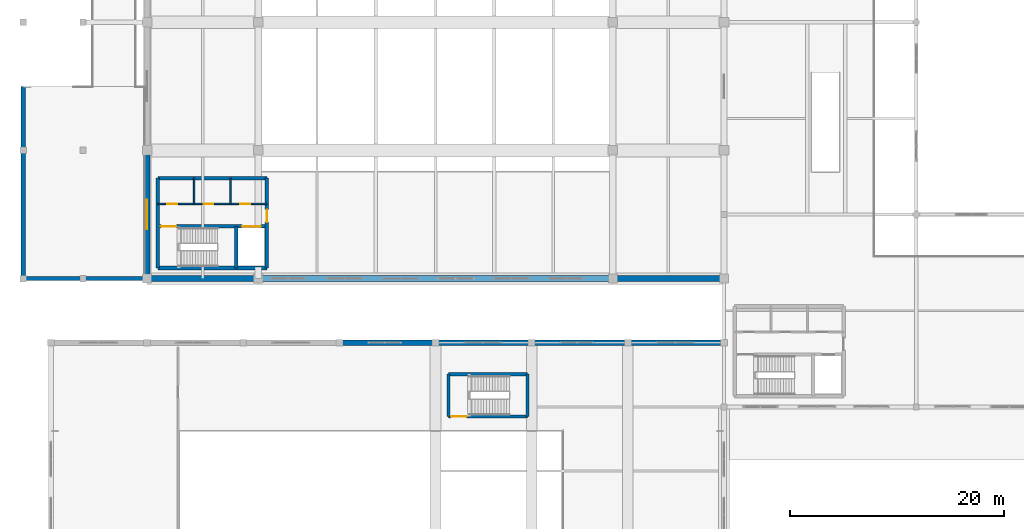
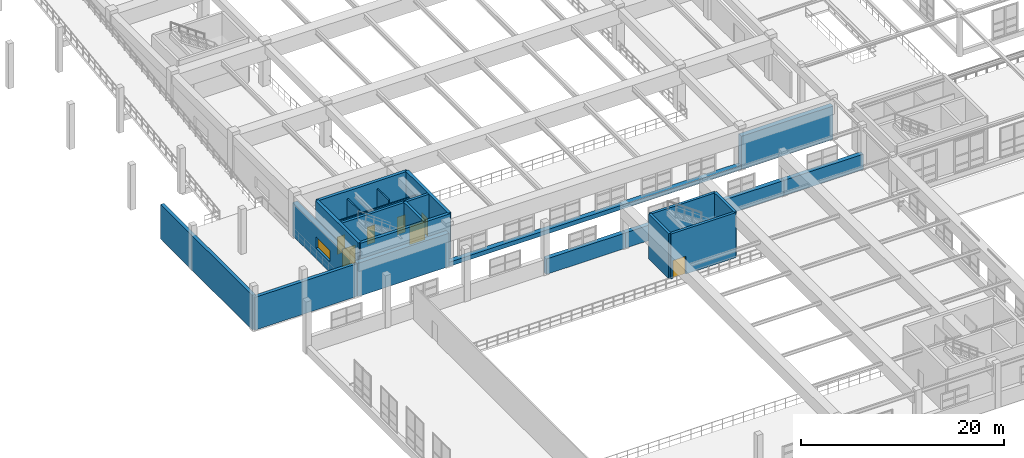
# One storey, part 170 of 197: 23 walls, 7 doors, 1 window, 8 openings.
"""IFC4 building model written with IfcOpenShell, lengths in metres."""

from ifc_helpers import new_model, si_unit, derived_unit, direction, frame, frame_2d, origin, place, context, subcontext, project, spatial, rectangle, extrude, material, layer, layer_set, type_object, element, fill, save


model = new_model("IFC4")

# Units and contexts
model_context = context("Model", 3, precision=1e-05, world=origin(), true_north=direction((0.0, 1.0)))
body_context = subcontext(model_context, "Body", "Model", "MODEL_VIEW")
ifc_project = project(units=[si_unit("LENGTHUNIT", "METRE"), si_unit("AREAUNIT", "SQUARE_METRE"), si_unit("VOLUMEUNIT", "CUBIC_METRE"), si_unit("PLANEANGLEUNIT", "RADIAN"), si_unit("MASSUNIT", "GRAM", prefix="KILO"), derived_unit("THERMALTRANSMITTANCEUNIT", [(si_unit("POWERUNIT", "WATT"), 1), (si_unit("LENGTHUNIT", "METRE"), -2), (si_unit("THERMODYNAMICTEMPERATUREUNIT", "KELVIN"), -1)])], contexts=[model_context])

# Site, building, storey
site_placement = place(None, origin())
site = spatial("IfcSite", under=ifc_project, at=site_placement, CompositionType="ELEMENT")
building_placement = place(site_placement, origin())
building = spatial("IfcBuilding", under=site, at=building_placement, Name="Almenara Railside Exhibition Hall", CompositionType="ELEMENT")
storey_placement = place(building_placement, frame((0.0, 0.0, 5.39990234375)))
storey = spatial("IfcBuildingStorey", under=building, at=storey_placement, Name="L01", CompositionType="ELEMENT", Elevation=5.39990234375)

# Walls
ifc_material_1 = material(Name="Concrete C35/45", Category="concrete")
ifc_layer_1 = layer(ifc_material_1, 0.35009765625, Name="Concrete C35/45")
ifc_layer_set_1 = layer_set([ifc_layer_1], Name="Concrete C35/45")
wall_type_1 = type_object("IfcWallType", Name="Core Coupled Shear Wall 350mm C35/45", PredefinedType="SHEAR", material=ifc_layer_set_1)
for number, where, z_axis, x_axis, name in (
    (1, (13.0, 49.0, 0.0), (0.0, 0.0, 1.0), (1.0, 0.0, 0.0), "Interior wall 0010"),
    (2, (23.199951171875, 57.39990234375, 0.0), (0.0, 0.0, 1.0), (-1.0, 0.0, 0.0), "Interior wall 0011"),
):
    element("IfcWall", number, at=place(storey_placement, frame(where, z_axis=z_axis, x_axis=x_axis)), inside=storey, type_object=wall_type_1, Name=name, PredefinedType="SHEAR", context=body_context, shape_type="SweptSolid", body=[
        extrude(rectangle(XDim=10.199951171875, YDim=0.35009765625, at=frame_2d((5.10009765625, 0.0))), origin(), (0.0, 0.0, 1.0), 5.400146484375),
    ])
wall_1_placement = place(storey_placement, frame((13.0, 57.39990234375, 0.0), z_axis=(0.0, 0.0, 1.0), x_axis=(0.0, -1.0, 0.0)))
element("IfcWall", 3, at=wall_1_placement, inside=storey, type_object=wall_type_1, Name="Interior wall 0012", PredefinedType="SHEAR", context=body_context, shape_type="SweptSolid", body=[
    extrude(rectangle(XDim=8.39990234375, YDim=0.35009765625, at=frame_2d((4.199951171875, 0.0))), origin(), (0.0, 0.0, 1.0), 5.400146484375),
])

# Wall, opening, door
wall_2_placement = place(storey_placement, frame((23.199951171875, 49.0, 0.0), z_axis=(0.0, 0.0, 1.0), x_axis=(0.0, 1.0, 0.0)))
wall_2 = element("IfcWall", 4, at=wall_2_placement, inside=storey, type_object=wall_type_1, Name="Interior wall 0013", PredefinedType="SHEAR", context=body_context, shape_type="SweptSolid", body=[
    extrude(rectangle(XDim=8.39990234375, YDim=0.35009765625, at=frame_2d((4.199951171875, 0.0))), origin(), (0.0, 0.0, 1.0), 5.400146484375),
])
opening_1_placement = place(wall_2_placement, frame((4.300048828125, 0.0, 0.0)))
opening_1 = element("IfcOpeningElement", 5, at=opening_1_placement, cuts=wall_2, Name="Opening FD-115", PredefinedType="OPENING", context=body_context, shape_type="SweptSolid", body=[
    extrude(rectangle(XDim=1.14990234375, YDim=2.14990234375, at=frame_2d((0.574951171875, 1.074951171875))), frame((0.0, 0.18505859375, 0.0), z_axis=(0.0, -1.0, 0.0), x_axis=(1.0, 0.0, 0.0)), (0.0, 0.0, 1.0), 0.3701171875),
])
ifc_material_2 = material(Name="Fire-rated iroko timber door", Category="wood")
door_type_1 = type_object("IfcDoorType", Name="Core Lobby Fire Door 1150x2150 EI60", OperationType="NOTDEFINED", PredefinedType="DOOR", material=ifc_material_2)
door_1_placement = place(opening_1_placement, origin())
door_1 = element("IfcDoor", 6, at=door_1_placement, inside=storey, type_object=door_type_1, Name="Interior door FD-115-007", OperationType="SINGLE_SWING_LEFT", OverallHeight=2.14990234375, OverallWidth=1.14990234375, PredefinedType="DOOR", context=body_context, shape_type="SweptSolid", body=[
    extrude(rectangle(XDim=1.14990234375, YDim=2.14990234375, at=frame_2d((0.574951171875, 1.074951171875))), frame((0.0, 0.02490234375, 0.0), z_axis=(0.0, -1.0, 0.0), x_axis=(1.0, 0.0, 0.0)), (0.0, 0.0, 1.0), 0.050048828125),
])
fill(opening_1, door_1)

# Walls
ifc_material_3 = material(Name="Ochre-white lime-rendered masonry over Concrete C35/45", Category="masonry")
ifc_layer_2 = layer(ifc_material_3, 0.385009765625, Name="Ochre-white lime-rendered masonry over Concrete C35/45")
ifc_layer_set_2 = layer_set([ifc_layer_2], Name="Ochre-white lime-rendered masonry over Concrete C35/45")
wall_type_2 = type_object("IfcWallType", Name="Exterior Arcade Spandrel Wall 385mm C35/45", PredefinedType="SOLIDWALL", material=ifc_layer_set_2)
wall_3_placement = place(storey_placement, frame((0.39990234375, 66.0, 0.0), z_axis=(0.0, 0.0, 1.0), x_axis=(0.0, -1.0, 0.0)))
element("IfcWall", 7, at=wall_3_placement, inside=storey, type_object=wall_type_2, Name="Exterior wall 0308", PredefinedType="SOLIDWALL", context=body_context, shape_type="SweptSolid", body=[
    extrude(rectangle(XDim=18.0, YDim=0.385009765625, at=frame_2d((9.0, 0.0))), origin(), (0.0, 0.0, 1.0), 4.150146484375),
])
wall_4_placement = place(storey_placement, frame((0.39990234375, 48.0, 0.0), z_axis=(0.0, 0.0, 1.0), x_axis=(1.0, 0.0, 0.0)))
element("IfcWall", 8, at=wall_4_placement, inside=storey, type_object=wall_type_2, Name="Exterior wall 0309", PredefinedType="SOLIDWALL", context=body_context, shape_type="SweptSolid", body=[
    extrude(rectangle(XDim=11.60009765625, YDim=0.385009765625, at=frame_2d((5.800048828125, 0.0))), origin(), (0.0, 0.0, 1.0), 3.93505859375),
])
ifc_layer_3 = layer(ifc_material_3, 0.47998046875, Name="Ochre-white lime-rendered masonry over Concrete C35/45")
ifc_layer_set_3 = layer_set([ifc_layer_3], Name="Ochre-white lime-rendered masonry over Concrete C35/45")
wall_type_3 = type_object("IfcWallType", Name="Exterior Plenary Thermal Wall 480mm C35/45", PredefinedType="SOLIDWALL", material=ifc_layer_set_3)
for number, where, z_axis, x_axis, name in (
    (9, (39.0, 42.0, 0.0), (0.0, 0.0, 1.0), (-1.0, 0.0, 0.0), "Exterior wall 0123"),
    (10, (48.0, 42.0, 0.0), (0.0, 0.0, 1.0), (-1.0, 0.0, 0.0), "Exterior wall 0127"),
    (11, (57.0, 42.0, 0.0), (0.0, 0.0, 1.0), (-1.0, 0.0, 0.0), "Exterior wall 0131"),
    (12, (66.0, 42.0, 0.0), (0.0, 0.0, 1.0), (-1.0, 0.0, 0.0), "Exterior wall 0135"),
):
    element("IfcWall", number, at=place(storey_placement, frame(where, z_axis=z_axis, x_axis=x_axis)), inside=storey, type_object=wall_type_3, Name=name, PredefinedType="SOLIDWALL", context=body_context, shape_type="SweptSolid", body=[
        extrude(rectangle(XDim=9.0, YDim=0.47998046875, at=frame_2d((4.5, 0.0))), origin(), (0.0, 0.0, 1.0), 1.85009765625),
    ])

# Wall, opening, window
ifc_layer_4 = layer(ifc_material_3, 0.5400390625, Name="Ochre-white lime-rendered masonry over Concrete C35/45")
ifc_layer_set_4 = layer_set([ifc_layer_4], Name="Ochre-white lime-rendered masonry over Concrete C35/45")
wall_type_4 = type_object("IfcWallType", Name="Exterior West Hall Thermal Wall 540mm C35/45", PredefinedType="SOLIDWALL", material=ifc_layer_set_4)
wall_5_placement = place(storey_placement, frame((12.0, 60.0, 0.0), z_axis=(0.0, 0.0, 1.0), x_axis=(0.0, -1.0, 0.0)))
wall_5 = element("IfcWall", 13, at=wall_5_placement, inside=storey, type_object=wall_type_4, Name="Exterior wall 0024", PredefinedType="SOLIDWALL", context=body_context, shape_type="SweptSolid", body=[
    extrude(rectangle(XDim=12.0, YDim=0.5400390625, at=frame_2d((6.0, 0.0))), origin(), (0.0, 0.0, 1.0), 4.0),
])
opening_2_placement = place(wall_5_placement, frame((4.60009765625, 0.0, 1.300048828125)))
opening_2 = element("IfcOpeningElement", 14, at=opening_2_placement, cuts=wall_5, Name="Opening W-16", PredefinedType="OPENING", context=body_context, shape_type="SweptSolid", body=[
    extrude(rectangle(XDim=2.800048828125, YDim=1.35009765625, at=frame_2d((1.39990234375, 0.675048828125))), frame((0.0, 0.280029296875, 0.0), z_axis=(0.0, -1.0, 0.0), x_axis=(1.0, 0.0, 0.0)), (0.0, 0.0, 1.0), 0.56005859375),
])
ifc_material_4 = material(Name="Bronze-anodised aluminium and low-E double glazing", Category="aluminium")
window_type = type_object("IfcWindowType", Name="Gallery Clerestory Ribbon Window 2800x1350", PartitioningType="TRIPLE_PANEL_HORIZONTAL", PredefinedType="WINDOW", material=ifc_material_4)
window_placement = place(opening_2_placement, origin())
window = element("IfcWindow", 15, at=window_placement, inside=storey, type_object=window_type, Name="Window 0001", OverallHeight=1.35009765625, OverallWidth=2.800048828125, PartitioningType="TRIPLE_PANEL_HORIZONTAL", PredefinedType="WINDOW", context=body_context, shape_type="SweptSolid", body=[
    extrude(rectangle(XDim=2.800048828125, YDim=1.35009765625, at=frame_2d((1.39990234375, 0.675048828125))), frame((0.0, 0.030029296875, 0.0), z_axis=(0.0, -1.0, 0.0), x_axis=(1.0, 0.0, 0.0)), (0.0, 0.0, 1.0), 0.06005859375),
])
fill(opening_2, window)

# Walls
wall_6_placement = place(storey_placement, frame((12.0, 48.0, 0.0), z_axis=(0.0, 0.0, 1.0), x_axis=(1.0, 0.0, 0.0)))
element("IfcWall", 16, at=wall_6_placement, inside=storey, type_object=wall_type_4, Name="Exterior wall 0056", PredefinedType="SOLIDWALL", context=body_context, shape_type="SweptSolid", body=[
    extrude(rectangle(XDim=10.39990234375, YDim=0.5400390625, at=frame_2d((5.199951171875, 0.0))), origin(), (0.0, 0.0, 1.0), 4.0),
])
wall_7_placement = place(storey_placement, frame((22.39990234375, 48.0, 0.0), z_axis=(0.0, 0.0, 1.0), x_axis=(1.0, 0.0, 0.0)))
element("IfcWall", 17, at=wall_7_placement, inside=storey, type_object=wall_type_4, Name="Exterior wall 0059", PredefinedType="SOLIDWALL", context=body_context, shape_type="SweptSolid", body=[
    extrude(rectangle(XDim=33.2001953125, YDim=0.5400390625, at=frame_2d((16.60009765625, 0.0))), origin(), (0.0, 0.0, 1.0), 0.5),
])
wall_8_placement = place(storey_placement, frame((55.60009765625, 48.0, 0.0), z_axis=(0.0, 0.0, 1.0), x_axis=(1.0, 0.0, 0.0)))
element("IfcWall", 18, at=wall_8_placement, inside=storey, type_object=wall_type_4, Name="Exterior wall 0062", PredefinedType="SOLIDWALL", context=body_context, shape_type="SweptSolid", body=[
    extrude(rectangle(XDim=10.39990234375, YDim=0.5400390625, at=frame_2d((5.199951171875, 0.0))), origin(), (0.0, 0.0, 1.0), 4.0),
])

# Wall, openings, doors
ifc_material_5 = material(Name="Moisture-resistant tiled masonry partition", Category="masonry")
ifc_layer_5 = layer(ifc_material_5, 0.139892578125, Name="Moisture-resistant tiled masonry partition")
ifc_layer_set_5 = layer_set([ifc_layer_5], Name="Moisture-resistant tiled masonry partition")
wall_type_5 = type_object("IfcWallType", Name="Sanitary Wet-Wall Partition 140mm", PredefinedType="PARTITIONING", material=ifc_layer_set_5)
wall_9_placement = place(storey_placement, frame((13.0, 55.0, 0.0), z_axis=(0.0, 0.0, 1.0), x_axis=(1.0, 0.0, 0.0)))
wall_9 = element("IfcWall", 19, at=wall_9_placement, inside=storey, type_object=wall_type_5, Name="Interior wall 0016", PredefinedType="PARTITIONING", context=body_context, shape_type="SweptSolid", body=[
    extrude(rectangle(XDim=10.199951171875, YDim=0.139892578125, at=frame_2d((5.10009765625, 0.0))), origin(), (0.0, 0.0, 1.0), 4.03515625),
])
opening_3_placement = place(wall_9_placement, frame((0.89990234375, 0.0, 0.0)))
opening_3 = element("IfcOpeningElement", 20, at=opening_3_placement, cuts=wall_9, Name="Opening ID-09", PredefinedType="OPENING", context=body_context, shape_type="SweptSolid", body=[
    extrude(rectangle(XDim=0.89990234375, YDim=2.10009765625, at=frame_2d((0.449951171875, 1.050048828125))), frame((0.0, 0.079833984375, 0.0), z_axis=(0.0, -1.0, 0.0), x_axis=(1.0, 0.0, 0.0)), (0.0, 0.0, 1.0), 0.159912109375),
])
opening_4_placement = place(wall_9_placement, frame((4.300048828125, 0.0, 0.0)))
opening_4 = element("IfcOpeningElement", 21, at=opening_4_placement, cuts=wall_9, Name="Opening ID-09", PredefinedType="OPENING", context=body_context, shape_type="SweptSolid", body=[
    extrude(rectangle(XDim=0.89990234375, YDim=2.10009765625, at=frame_2d((0.449951171875, 1.050048828125))), frame((0.0, 0.079833984375, 0.0), z_axis=(0.0, -1.0, 0.0), x_axis=(1.0, 0.0, 0.0)), (0.0, 0.0, 1.0), 0.159912109375),
])
opening_5_placement = place(wall_9_placement, frame((7.699951171875, 0.0, 0.0)))
opening_5 = element("IfcOpeningElement", 22, at=opening_5_placement, cuts=wall_9, Name="Opening ID-095", PredefinedType="OPENING", context=body_context, shape_type="SweptSolid", body=[
    extrude(rectangle(XDim=0.949951171875, YDim=2.10009765625, at=frame_2d((0.47509765625, 1.050048828125))), frame((0.0, 0.079833984375, 0.0), z_axis=(0.0, -1.0, 0.0), x_axis=(1.0, 0.0, 0.0)), (0.0, 0.0, 1.0), 0.159912109375),
])
ifc_material_6 = material(Name="Moisture-resistant hardwood door", Category="wood")
door_type_2 = type_object("IfcDoorType", Name="Accessible Toilet Door 950x2100", OperationType="NOTDEFINED", PredefinedType="DOOR", material=ifc_material_6)
door_2_placement = place(opening_5_placement, origin())
door_2 = element("IfcDoor", 23, at=door_2_placement, inside=storey, type_object=door_type_2, Name="Interior door ID-095-012", OperationType="SINGLE_SWING_RIGHT", OverallHeight=2.10009765625, OverallWidth=0.949951171875, PredefinedType="DOOR", context=body_context, shape_type="SweptSolid", body=[
    extrude(rectangle(XDim=0.949951171875, YDim=2.10009765625, at=frame_2d((0.47509765625, 1.050048828125))), frame((0.0, 0.02490234375, 0.0), z_axis=(0.0, -1.0, 0.0), x_axis=(1.0, 0.0, 0.0)), (0.0, 0.0, 1.0), 0.050048828125),
])
fill(opening_5, door_2)
door_type_3 = type_object("IfcDoorType", Name="Sanitary Lobby Single Door 900x2100", OperationType="NOTDEFINED", PredefinedType="DOOR", material=ifc_material_6)
door_3_placement = place(opening_3_placement, origin())
door_3 = element("IfcDoor", 24, at=door_3_placement, inside=storey, type_object=door_type_3, Name="Interior door ID-09-010", OperationType="SINGLE_SWING_RIGHT", OverallHeight=2.10009765625, OverallWidth=0.89990234375, PredefinedType="DOOR", context=body_context, shape_type="SweptSolid", body=[
    extrude(rectangle(XDim=0.89990234375, YDim=2.10009765625, at=frame_2d((0.449951171875, 1.050048828125))), frame((0.0, 0.02490234375, 0.0), z_axis=(0.0, -1.0, 0.0), x_axis=(1.0, 0.0, 0.0)), (0.0, 0.0, 1.0), 0.050048828125),
])
fill(opening_3, door_3)
door_4_placement = place(opening_4_placement, origin())
door_4 = element("IfcDoor", 25, at=door_4_placement, inside=storey, type_object=door_type_3, Name="Interior door ID-09-011", OperationType="SINGLE_SWING_LEFT", OverallHeight=2.10009765625, OverallWidth=0.89990234375, PredefinedType="DOOR", context=body_context, shape_type="SweptSolid", body=[
    extrude(rectangle(XDim=0.89990234375, YDim=2.10009765625, at=frame_2d((0.449951171875, 1.050048828125))), frame((0.0, 0.02490234375, 0.0), z_axis=(0.0, -1.0, 0.0), x_axis=(1.0, 0.0, 0.0)), (0.0, 0.0, 1.0), 0.050048828125),
])
fill(opening_4, door_4)

# Walls
for number, where, z_axis, x_axis, name in (
    (26, (16.39990234375, 55.0, 0.0), (0.0, 0.0, 1.0), (0.0, 1.0, 0.0), "Interior wall 0017"),
    (27, (19.800048828125, 55.0, 0.0), (0.0, 0.0, 1.0), (0.0, 1.0, 0.0), "Interior wall 0018"),
):
    element("IfcWall", number, at=place(storey_placement, frame(where, z_axis=z_axis, x_axis=x_axis)), inside=storey, type_object=wall_type_5, Name=name, PredefinedType="PARTITIONING", context=body_context, shape_type="SweptSolid", body=[
        extrude(rectangle(XDim=2.39990234375, YDim=0.139892578125, at=frame_2d((1.199951171875, 0.0))), origin(), (0.0, 0.0, 1.0), 4.5),
    ])

# Wall, openings, doors
ifc_layer_6 = layer(ifc_material_1, 0.300048828125, Name="Concrete C35/45")
ifc_layer_set_6 = layer_set([ifc_layer_6], Name="Concrete C35/45")
wall_type_6 = type_object("IfcWallType", Name="Stair and Lift Shaft Wall 300mm C35/45", PredefinedType="SHEAR", material=ifc_layer_set_6)
wall_10_placement = place(storey_placement, frame((13.0, 52.89990234375, 0.0), z_axis=(0.0, 0.0, 1.0), x_axis=(1.0, 0.0, 0.0)))
wall_10 = element("IfcWall", 28, at=wall_10_placement, inside=storey, type_object=wall_type_6, Name="Interior wall 0014", PredefinedType="SHEAR", context=body_context, shape_type="SweptSolid", body=[
    extrude(rectangle(XDim=10.199951171875, YDim=0.300048828125, at=frame_2d((5.10009765625, 0.0))), origin(), (0.0, 0.0, 1.0), 5.400146484375),
])
opening_6_placement = place(wall_10_placement, frame((0.280029296875, 0.0, 0.0)))
opening_6 = element("IfcOpeningElement", 29, at=opening_6_placement, cuts=wall_10, Name="Opening FD-145", PredefinedType="OPENING", context=body_context, shape_type="SweptSolid", body=[
    extrude(rectangle(XDim=1.449951171875, YDim=2.14990234375, at=frame_2d((0.72509765625, 1.074951171875))), frame((0.0, 0.159912109375, 0.0), z_axis=(0.0, -1.0, 0.0), x_axis=(1.0, 0.0, 0.0)), (0.0, 0.0, 1.0), 0.320068359375),
])
opening_7_placement = place(wall_10_placement, frame((7.89990234375, 0.0, 0.0)))
opening_7 = element("IfcOpeningElement", 30, at=opening_7_placement, cuts=wall_10, Name="Opening LD-175-C1", PredefinedType="OPENING", context=body_context, shape_type="SweptSolid", body=[
    extrude(rectangle(XDim=1.75, YDim=2.300048828125, at=frame_2d((0.875, 1.14990234375))), frame((0.0, 0.159912109375, 0.0), z_axis=(0.0, -1.0, 0.0), x_axis=(1.0, 0.0, 0.0)), (0.0, 0.0, 1.0), 0.320068359375),
])
ifc_material_7 = material(Name="Steel-framed fire-rated timber door", Category="steel")
door_type_4 = type_object("IfcDoorType", Name="Fire Escape Stair Door 1450x2150 EI60", OperationType="NOTDEFINED", PredefinedType="DOOR", material=ifc_material_7)
door_5_placement = place(opening_6_placement, origin())
door_5 = element("IfcDoor", 31, at=door_5_placement, inside=storey, type_object=door_type_4, Name="Interior door FD-145-008", OperationType="DOUBLE_DOOR_SINGLE_SWING", OverallHeight=2.14990234375, OverallWidth=1.449951171875, PredefinedType="DOOR", context=body_context, shape_type="SweptSolid", body=[
    extrude(rectangle(XDim=1.449951171875, YDim=2.14990234375, at=frame_2d((0.72509765625, 1.074951171875))), frame((0.0, 0.02490234375, 0.0), z_axis=(0.0, -1.0, 0.0), x_axis=(1.0, 0.0, 0.0)), (0.0, 0.0, 1.0), 0.050048828125),
])
fill(opening_6, door_5)
ifc_material_8 = material(Name="Heavy-duty stainless steel sliding landing door", Category="steel")
door_type_5 = type_object("IfcDoorType", Name="Goods Lift Sliding Landing Door 1750x2300", OperationType="DOUBLE_DOOR_SLIDING", PredefinedType="DOOR", material=ifc_material_8)
door_6_placement = place(opening_7_placement, origin())
door_6 = element("IfcDoor", 32, at=door_6_placement, inside=storey, type_object=door_type_5, Name="Interior door LD-175-C1-009", OperationType="DOUBLE_DOOR_SLIDING", OverallHeight=2.300048828125, OverallWidth=1.75, PredefinedType="DOOR", context=body_context, shape_type="SweptSolid", body=[
    extrude(rectangle(XDim=1.75, YDim=2.300048828125, at=frame_2d((0.875, 1.14990234375))), frame((0.0, 0.02490234375, 0.0), z_axis=(0.0, -1.0, 0.0), x_axis=(1.0, 0.0, 0.0)), (0.0, 0.0, 1.0), 0.050048828125),
])
fill(opening_7, door_6)

# Wall
wall_11_placement = place(storey_placement, frame((20.35009765625, 49.0, 0.0), z_axis=(0.0, 0.0, 1.0), x_axis=(0.0, 1.0, 0.0)))
element("IfcWall", 33, at=wall_11_placement, inside=storey, type_object=wall_type_6, Name="Interior wall 0015", PredefinedType="SHEAR", context=body_context, shape_type="SweptSolid", body=[
    extrude(rectangle(XDim=3.89990234375, YDim=0.300048828125, at=frame_2d((1.949951171875, 0.0))), origin(), (0.0, 0.0, 1.0), 5.400146484375),
])

# Wall, opening, door
wall_12_placement = place(storey_placement, frame((40.199951171875, 35.10009765625, 0.0), z_axis=(0.0, 0.0, 1.0), x_axis=(1.0, 0.0, 0.0)))
wall_12 = element("IfcWall", 34, at=wall_12_placement, inside=storey, type_object=wall_type_6, Name="Interior wall 0336", PredefinedType="SHEAR", context=body_context, shape_type="SweptSolid", body=[
    extrude(rectangle(XDim=7.400146484375, YDim=0.300048828125, at=frame_2d((3.7001953125, 0.0))), origin(), (0.0, 0.0, 1.0), 5.400146484375),
])
opening_8_placement = place(wall_12_placement, frame((0.25, 0.0, 0.0)))
opening_8 = element("IfcOpeningElement", 35, at=opening_8_placement, cuts=wall_12, Name="Opening FD-145", PredefinedType="OPENING", context=body_context, shape_type="SweptSolid", body=[
    extrude(rectangle(XDim=1.449951171875, YDim=2.14990234375, at=frame_2d((0.72509765625, 1.074951171875))), frame((0.0, 0.159912109375, 0.0), z_axis=(0.0, -1.0, 0.0), x_axis=(1.0, 0.0, 0.0)), (0.0, 0.0, 1.0), 0.320068359375),
])
door_7_placement = place(opening_8_placement, origin())
door_7 = element("IfcDoor", 36, at=door_7_placement, inside=storey, type_object=door_type_4, Name="Interior door FD-145-199", OperationType="DOUBLE_DOOR_SINGLE_SWING", OverallHeight=2.14990234375, OverallWidth=1.449951171875, PredefinedType="DOOR", context=body_context, shape_type="SweptSolid", body=[
    extrude(rectangle(XDim=1.449951171875, YDim=2.14990234375, at=frame_2d((0.72509765625, 1.074951171875))), frame((0.0, 0.02490234375, 0.0), z_axis=(0.0, -1.0, 0.0), x_axis=(1.0, 0.0, 0.0)), (0.0, 0.0, 1.0), 0.050048828125),
])
fill(opening_8, door_7)

# Walls
wall_13_placement = place(storey_placement, frame((47.60009765625, 39.050048828125, 0.0), z_axis=(0.0, 0.0, 1.0), x_axis=(-1.0, 0.0, 0.0)))
element("IfcWall", 37, at=wall_13_placement, inside=storey, type_object=wall_type_6, Name="Interior wall 0337", PredefinedType="SHEAR", context=body_context, shape_type="SweptSolid", body=[
    extrude(rectangle(XDim=7.400146484375, YDim=0.300048828125, at=frame_2d((3.7001953125, 0.0))), origin(), (0.0, 0.0, 1.0), 5.400146484375),
])
for number, where, z_axis, x_axis, name in (
    (38, (40.199951171875, 39.050048828125, 0.0), (0.0, 0.0, 1.0), (0.0, -1.0, 0.0), "Interior wall 0338"),
    (39, (47.60009765625, 35.10009765625, 0.0), (0.0, 0.0, 1.0), (0.0, 1.0, 0.0), "Interior wall 0339"),
):
    element("IfcWall", number, at=place(storey_placement, frame(where, z_axis=z_axis, x_axis=x_axis)), inside=storey, type_object=wall_type_6, Name=name, PredefinedType="SHEAR", context=body_context, shape_type="SweptSolid", body=[
        extrude(rectangle(XDim=3.949951171875, YDim=0.300048828125, at=frame_2d((1.97509765625, 0.0))), origin(), (0.0, 0.0, 1.0), 5.400146484375),
    ])

save(model, "model.ifc")
